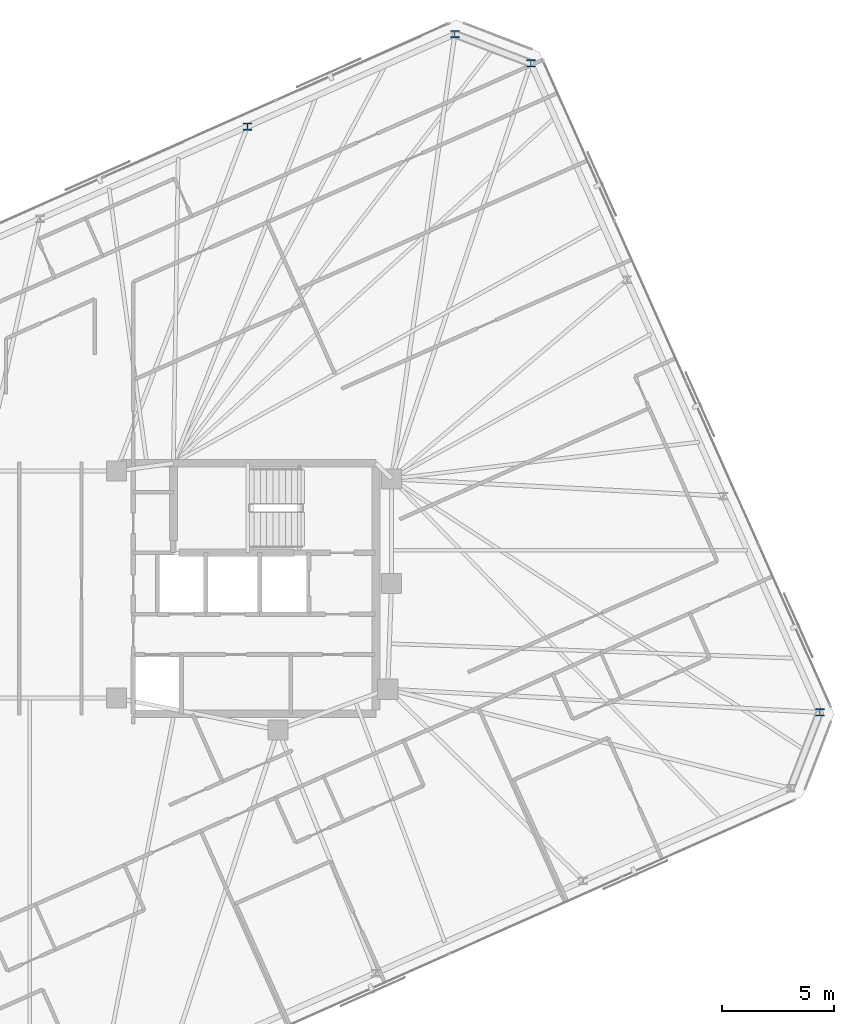
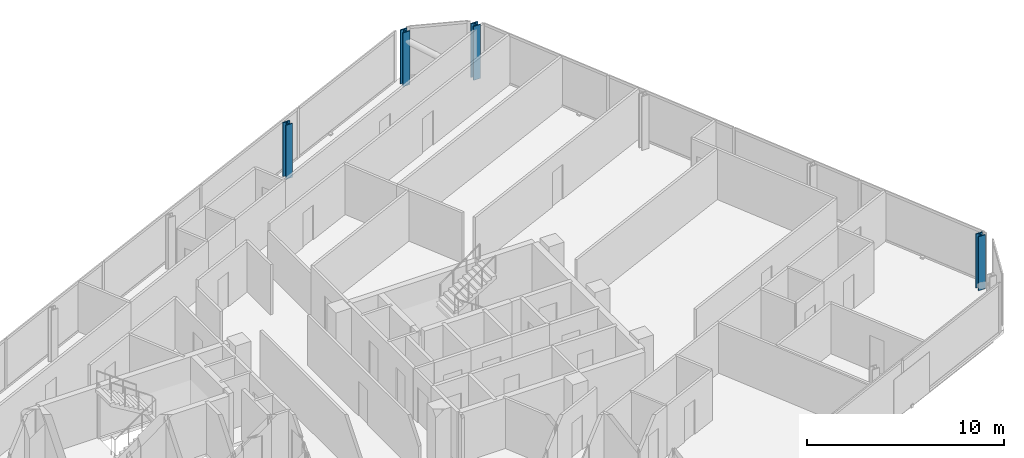
# One storey, part 4 of 19: 4 columns.
"""IFC4 building model written with IfcOpenShell, lengths in metres."""

import ifcopenshell
import ifcopenshell.guid

model = None  # the IFC model being written
_history = None  # IfcOwnerHistory: only IFC2X3 demands one
_inside = {}  # id of a spatial element -> (the spatial element, [elements in it])
_under = {}  # id of a project, library or spatial element -> (it, [spatial elements below it])
_declared = {}  # id of a project -> (the project, [libraries it declares])
_typed = {}  # id of a type object -> (the type object, [elements of that type])
_made_of = {}  # id of a material, layer set ... -> (it, [elements and type objects made of it])


def new_model(schema):
    """Start an empty IFC model of exactly this schema.

    Asked for "IFC4X3", IfcOpenShell would pick the latest addendum, in which some entities
    have other attributes; the version numbers below select the first issue.
    IFC2X3 requires an IfcOwnerHistory on every rooted entity: one is made here for all.
    """
    global model, _history
    if schema == "IFC4X3":
        model = ifcopenshell.file(schema_version=(4, 3, 0, 0))
    else:
        model = ifcopenshell.file(schema=schema)
    _inside.clear()
    _under.clear()
    _declared.clear()
    _typed.clear()
    _made_of.clear()
    _history = None
    if model.schema == "IFC2X3":
        org = make("IfcOrganization", Name="unknown")
        user = make(
            "IfcPersonAndOrganization",
            ThePerson=make("IfcPerson", FamilyName="unknown"),
            TheOrganization=org,
        )
        app = make(
            "IfcApplication",
            ApplicationDeveloper=org,
            Version="unknown",
            ApplicationFullName="unknown",
            ApplicationIdentifier="unknown",
        )
        _history = make(
            "IfcOwnerHistory",
            OwningUser=user,
            OwningApplication=app,
            ChangeAction="ADDED",
            CreationDate=0,
        )
    return model


def make(cls, **values):
    """One entity of the class cls with the attributes given. An attribute that is None is left unset."""
    return model.create_entity(
        cls, **{name: value for name, value in values.items() if value is not None}
    )


def rooted(cls, **values):
    """An entity with a GlobalId (a new one), such as an element, a storey or a relation."""
    return make(cls, GlobalId=ifcopenshell.guid.new(), OwnerHistory=_history, **values)


def si_unit(unit_type, name, prefix=None):
    """IfcSIUnit, for example si_unit("LENGTHUNIT", "METRE", prefix="MILLI")."""
    return make("IfcSIUnit", UnitType=unit_type, Prefix=prefix, Name=name)


def assignment(units):
    """IfcUnitAssignment: the units of a project."""
    return None if units is None else make("IfcUnitAssignment", Units=units)


def point(xyz):
    """IfcCartesianPoint."""
    return None if xyz is None else make("IfcCartesianPoint", Coordinates=xyz)


def direction(xyz):
    """IfcDirection."""
    return None if xyz is None else make("IfcDirection", DirectionRatios=xyz)


def frame(location, z_axis=None, x_axis=None):
    """IfcAxis2Placement3D, a coordinate frame: its origin and axes. An axis left out is left unset."""
    return make(
        "IfcAxis2Placement3D",
        Location=point(location),
        Axis=direction(z_axis),
        RefDirection=direction(x_axis),
    )


def frame_2d(location, x_axis=None):
    """IfcAxis2Placement2D, a coordinate frame in the plane: its origin and x axis."""
    return make(
        "IfcAxis2Placement2D", Location=point(location), RefDirection=direction(x_axis)
    )


def origin():
    """The frame at (0, 0, 0) with its axes left unset."""
    return frame((0.0, 0.0, 0.0))


def origin_2d():
    """The frame at (0, 0) in the plane with its x axis left unset."""
    return frame_2d((0.0, 0.0))


def place(relative_to, where):
    """IfcLocalPlacement: puts the frame where relative to a parent placement (None: the world)."""
    return make(
        "IfcLocalPlacement", PlacementRelTo=relative_to, RelativePlacement=where
    )


def context(
    kind, dimensions, precision=None, world=None, true_north=None, identifier=None
):
    """IfcGeometricRepresentationContext, for example the 3D "Model" context."""
    return make(
        "IfcGeometricRepresentationContext",
        ContextIdentifier=identifier,
        ContextType=kind,
        CoordinateSpaceDimension=dimensions,
        Precision=precision,
        WorldCoordinateSystem=world,
        TrueNorth=true_north,
    )


def subcontext(parent, identifier, kind, view, scale=None):
    """IfcGeometricRepresentationSubContext, for example "Body" below "Model"."""
    return make(
        "IfcGeometricRepresentationSubContext",
        ContextIdentifier=identifier,
        ContextType=kind,
        ParentContext=parent,
        TargetScale=scale,
        TargetView=view,
    )


def project(units=None, contexts=None):
    """IfcProject with its units and contexts."""
    return rooted(
        "IfcProject",
        Name="project",
        RepresentationContexts=contexts,
        UnitsInContext=assignment(units),
    )


def spatial(cls, under=None, at=None, **own):
    """A site, building, storey or space (cls), placed at a placement, below another one or the project."""
    s = rooted(cls, ObjectPlacement=at, **own)
    if under is not None:
        _under.setdefault(under.id(), (under, []))[1].append(s)
    return s


def profile(cls, at=None, kind="AREA", **sizes):
    """A parametric profile (cls). Its sizes go by their IFC names, for example OverallWidth=200.0."""
    return make(cls, ProfileType=kind, Position=at, **sizes)


def i_section(**sizes):
    """IfcIShapeProfileDef."""
    return profile("IfcIShapeProfileDef", **sizes)


def extrude(swept, where, along, depth):
    """IfcExtrudedAreaSolid: the profile swept, set in the frame where, extruded along a direction by depth."""
    return make(
        "IfcExtrudedAreaSolid",
        SweptArea=swept,
        Position=where,
        ExtrudedDirection=direction(along),
        Depth=depth,
    )


def shape(context_of_items, identifier, shape_type, items):
    """IfcShapeRepresentation: the items that make up one representation, for example the "Body"."""
    return make(
        "IfcShapeRepresentation",
        ContextOfItems=context_of_items,
        RepresentationIdentifier=identifier,
        RepresentationType=shape_type,
        Items=items,
    )


def material(Name=None, Category=None):
    """IfcMaterial."""
    return make("IfcMaterial", Name=Name, Category=Category)


def material_profile(
    of_material, cross_section, Name=None, Category=None, Priority=None
):
    """IfcMaterialProfile: a cross section and its material."""
    return make(
        "IfcMaterialProfile",
        Name=Name,
        Material=of_material,
        Profile=cross_section,
        Priority=Priority,
        Category=Category,
    )


def profile_set(profiles, Name=None, composite=None):
    """IfcMaterialProfileSet."""
    return make(
        "IfcMaterialProfileSet",
        Name=Name,
        MaterialProfiles=profiles,
        CompositeProfile=composite,
    )


def made_of(thing, what):
    """Note that an element or type object is made of a material, layer set ...; save() writes the relation."""
    if what is not None:
        _made_of.setdefault(what.id(), (what, []))[1].append(thing)
    return thing


def type_object(cls, material=None, **own):
    """A type object (cls), such as IfcWallType, which elements share."""
    return made_of(rooted(cls, **own), material)


def element(
    cls,
    number,
    at=None,
    inside=None,
    cuts=None,
    type_object=None,
    material=None,
    context=None,
    identifier="Body",
    shape_type=None,
    held_by="IfcProductDefinitionShape",
    body=None,
    shapes=None,
    **own,
):
    """One element of the class cls, such as IfcWall. Its Tag is "e" and its number.

    at: its placement. inside: the storey or other place that contains it. cuts: it is an
    opening in that element (IfcRelVoidsElement). A single representation is given by context,
    identifier, shape_type and body (its items); several are given by shapes. held_by: the class
    of the entity that holds the representations. save() writes the other relations.
    """
    e = rooted(cls, Tag="e%d" % number, ObjectPlacement=at, **own)
    if body is not None:
        shapes = [shape(context, identifier, shape_type, body)]
    if shapes is not None:
        e.Representation = make(held_by, Representations=shapes)
    if inside is not None:
        _inside.setdefault(inside.id(), (inside, []))[1].append(e)
    if cuts is not None:
        rooted(
            "IfcRelVoidsElement", RelatingBuildingElement=cuts, RelatedOpeningElement=e
        )
    if type_object is not None:
        _typed.setdefault(type_object.id(), (type_object, []))[1].append(e)
    return made_of(e, material)


def aggregate(whole, parts):
    """IfcRelAggregates: a whole, such as a stair, and the parts it consists of."""
    return rooted("IfcRelAggregates", RelatingObject=whole, RelatedObjects=parts)


def save(model, path):
    """Write the relations noted so far, then the file.

    IfcRelAggregates (storeys below a building ...), IfcRelContainedInSpatialStructure (elements
    in a storey), IfcRelDefinesByType, IfcRelAssociatesMaterial and IfcRelDeclares: one each for
    every whole, place, type object, material and project.
    """
    for whole, parts in _under.values():
        aggregate(whole, parts)
    for where, things in _inside.values():
        rooted(
            "IfcRelContainedInSpatialStructure",
            RelatedElements=things,
            RelatingStructure=where,
        )
    for kind, things in _typed.values():
        rooted("IfcRelDefinesByType", RelatedObjects=things, RelatingType=kind)
    for what, things in _made_of.values():
        rooted("IfcRelAssociatesMaterial", RelatedObjects=things, RelatingMaterial=what)
    for by, libraries in _declared.values():
        rooted("IfcRelDeclares", RelatingContext=by, RelatedDefinitions=libraries)
    model.write(path)


model = new_model("IFC4")

# Units and contexts
model_context = context("Model", 3, precision=1e-05, world=origin(), true_north=direction((0.0, 1.0)))
body_context = subcontext(model_context, "Body", "Model", "MODEL_VIEW")
ifc_project = project(units=[si_unit("LENGTHUNIT", "METRE"), si_unit("AREAUNIT", "SQUARE_METRE"), si_unit("VOLUMEUNIT", "CUBIC_METRE"), si_unit("PLANEANGLEUNIT", "RADIAN"), si_unit("MASSUNIT", "GRAM", prefix="KILO")], contexts=[model_context])

# Site, building, storey
site_placement = place(None, origin())
site = spatial("IfcSite", under=ifc_project, at=site_placement, CompositionType="ELEMENT")
building_placement = place(site_placement, origin())
building = spatial("IfcBuilding", under=site, at=building_placement, Name="Menara Jurai Vektor", CompositionType="ELEMENT")
storey_placement = place(building_placement, frame((0.0, 0.0, 268.89990234375)))
storey = spatial("IfcBuildingStorey", under=building, at=storey_placement, Name="L72", CompositionType="ELEMENT", Elevation=268.89990234375)

# Columns
ifc_material = material(Name="Steel S460", Category="steel")
ifc_material_profile = material_profile(ifc_material, i_section(OverallWidth=0.40087890625, OverallDepth=0.3349609375, WebThickness=0.035888671875, FlangeThickness=0.05810546875, FilletRadius=0.014892578125, at=origin_2d()), Name="HD 400x463")
ifc_profile_set = profile_set([ifc_material_profile], Name="Steel S460")
column_type = type_object("IfcColumnType", Name="STR-EXO-BLK5", PredefinedType="COLUMN", material=ifc_profile_set)
for number, where, z_axis, x_axis, name in (
    (1, (34.3916015625, -5.536865234375, 0.0), (0.0, 0.0, 1.0), (1.0, 0.0, 0.0), "Exoskeleton Column BLK5-E1 L72"),
    (2, (21.4755859375, 23.473388671875, 0.0), (0.0, 0.0, 1.0), (1.0, 0.0, 0.0), "Exoskeleton Column BLK5-E4 L72"),
    (3, (18.07958984375, 24.777099609375, 0.0), (0.0, 0.0, 1.0), (1.0, 0.0, 0.0), "Exoskeleton Column BLK5-N1 L72"),
    (4, (8.805908203125, 20.648193359375, 0.0), (0.0, 0.0, 1.0), (1.0, 0.0, 0.0), "Exoskeleton Column BLK5-N2 L72"),
):
    element("IfcColumn", number, at=place(storey_placement, frame(where, z_axis=z_axis, x_axis=x_axis)), inside=storey, type_object=column_type, Name=name, PredefinedType="COLUMN", context=body_context, shape_type="SweptSolid", body=[
        extrude(i_section(OverallWidth=0.40087890625, OverallDepth=0.3349609375, WebThickness=0.035888671875, FlangeThickness=0.05810546875, FilletRadius=0.014892578125, at=origin_2d()), origin(), (0.0, 0.0, 1.0), 3.35009765625),
    ])

save(model, "model.ifc")
